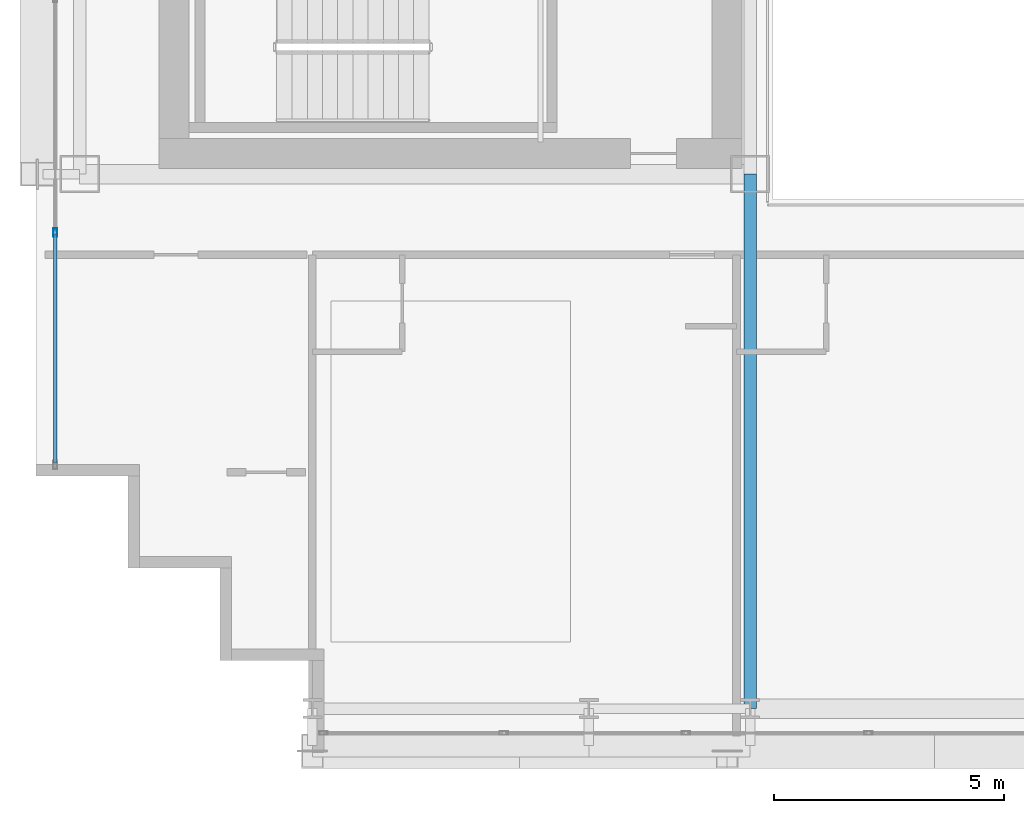
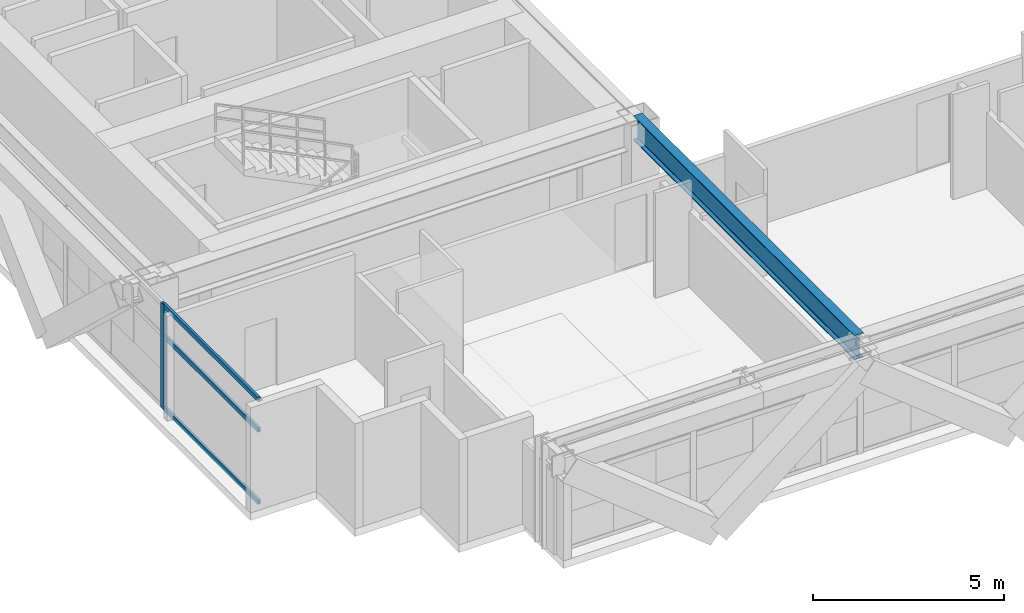
# One storey, part 3 of 34: 4 members, 1 beam, 1 element without a shape of its own.
"""IFC4 building model written with IfcOpenShell, lengths in metres."""

from ifc_helpers import new_model, si_unit, direction, frame, origin, origin_2d, place, context, subcontext, project, spatial, hollow_rectangle, i_section, extrude, source, transform, mapped, material, layer, layer_set, material_profile, profile_set, type_object, element, aggregate, save


model = new_model("IFC4")

# Units and contexts
model_context = context("Model", 3, precision=1e-05, world=origin(), true_north=direction((0.0, 1.0)))
body_context = subcontext(model_context, "Body", "Model", "MODEL_VIEW")
ifc_project = project(units=[si_unit("LENGTHUNIT", "METRE"), si_unit("AREAUNIT", "SQUARE_METRE"), si_unit("VOLUMEUNIT", "CUBIC_METRE"), si_unit("PLANEANGLEUNIT", "RADIAN"), si_unit("MASSUNIT", "GRAM", prefix="KILO")], contexts=[model_context])

# Site, building, storey
site_placement = place(None, origin())
site = spatial("IfcSite", under=ifc_project, at=site_placement, CompositionType="ELEMENT")
building_placement = place(site_placement, origin())
building = spatial("IfcBuilding", under=site, at=building_placement, Name="Ocotamira Hotel", CompositionType="ELEMENT")
storey_placement = place(building_placement, frame((0.0, 0.0, 108.0)))
storey = spatial("IfcBuildingStorey", under=building, at=storey_placement, Name="L26", CompositionType="ELEMENT", Elevation=108.0)

# Beam
ifc_material_1 = material(Name="Steel ASTM A992 Grade 50", Category="steel")
ifc_material_profile_1 = material_profile(ifc_material_1, i_section(OverallWidth=0.26611328125, OverallDepth=0.779052734375, WebThickness=0.0166015625, FlangeThickness=0.030029296875, FilletRadius=0.01806640625, at=origin_2d()), Name="W30X148")
ifc_profile_set_1 = profile_set([ifc_material_profile_1], Name="Steel ASTM A992 Grade 50")
beam_type = type_object("IfcBeamType", Name="BM-GIRD-W30X148", PredefinedType="BEAM", material=ifc_profile_set_1)
shared_shape_1 = source(origin(), body_context, "Body", "SweptSolid", [
    extrude(i_section(OverallWidth=0.26611328125, OverallDepth=0.779052734375, WebThickness=0.0166015625, FlangeThickness=0.030029296875, FilletRadius=0.01806640625, at=origin_2d()), origin(), (0.0, 0.0, 1.0), 11.60009765625),
])
beam_placement = place(storey_placement, frame((23.5, 2.949951171875, 2.970458984375), z_axis=(0.0, 1.0, 0.0), x_axis=(-1.0, 0.0, 0.0)))
element("IfcBeam", 1, at=beam_placement, inside=storey, type_object=beam_type, Name="L26 Beam X23.5 Y2.95-14.55", PredefinedType="BEAM", context=body_context, shape_type="MappedRepresentation", body=[
    mapped(shared_shape_1, transform((0.0, 0.0, 0.0), scale=1.0)),
])

# Curtain wall, members
ifc_material_2 = material(Name="Anodised pale-metal aluminium and solar glass", Category="aluminium")
ifc_layer = layer(ifc_material_2, 0.179931640625)
ifc_layer_set = layer_set([ifc_layer], Name="Anodised pale-metal aluminium and solar glass")
curtain_wall_type = type_object("IfcCurtainWallType", Name="CW-SYS3-Z2", PredefinedType="NOTDEFINED", material=ifc_layer_set)
curtain_wall_placement = place(storey_placement, origin())
curtain_wall = element("IfcCurtainWall", 2, at=curtain_wall_placement, inside=storey, type_object=curtain_wall_type, Name="L26 Curtain Wall CW-3 CW-L26-W", PredefinedType="NOTDEFINED")
ifc_material_3 = material(Name="Anodised pale-metal aluminium 6063-T6", Category="aluminium")
ifc_material_profile_2 = material_profile(ifc_material_3, hollow_rectangle(XDim=0.074951171875, YDim=0.14990234375, WallThickness=0.006103515625, at=origin_2d()), Name="HSS150X75X6")
ifc_profile_set_2 = profile_set([ifc_material_profile_2], Name="Anodised pale-metal aluminium 6063-T6")
member_type_1 = type_object("IfcMemberType", Name="CWT-150X75", PredefinedType="USERDEFINED", material=ifc_profile_set_2)
shared_shape_2 = source(origin(), body_context, "Body", "SweptSolid", [
    extrude(hollow_rectangle(XDim=0.074951171875, YDim=0.14990234375, WallThickness=0.006103515625, at=origin_2d()), origin(), (0.0, 0.0, 1.0), 4.965576171875),
])
member_1_placement = place(storey_placement, frame((8.419921875, 8.280029296875, 0.03759765625), z_axis=(0.0, 1.0, 0.0), x_axis=(-1.0, 0.0, 0.0)))
member_1 = element("IfcMember", 3, at=member_1_placement, type_object=member_type_1, Name="CW-3 transom 1.1", ObjectType="TRANSOM", PredefinedType="USERDEFINED", context=body_context, shape_type="MappedRepresentation", body=[
    mapped(shared_shape_2, transform((0.0, 0.0, 0.0), scale=1.0)),
])
member_2_placement = place(storey_placement, frame((8.419921875, 8.280029296875, 2.35009765625), z_axis=(0.0, 1.0, 0.0), x_axis=(-1.0, 0.0, 0.0)))
member_2 = element("IfcMember", 4, at=member_2_placement, type_object=member_type_1, Name="CW-3 transom 1.2", ObjectType="TRANSOM", PredefinedType="USERDEFINED", context=body_context, shape_type="MappedRepresentation", body=[
    mapped(shared_shape_2, transform((0.0, 0.0, 0.0), scale=1.0)),
])
member_3_placement = place(storey_placement, frame((8.419921875, 8.280029296875, 3.322509765625), z_axis=(0.0, 1.0, 0.0), x_axis=(-1.0, 0.0, 0.0)))
member_3 = element("IfcMember", 5, at=member_3_placement, type_object=member_type_1, Name="CW-3 transom 1.3", ObjectType="TRANSOM", PredefinedType="USERDEFINED", context=body_context, shape_type="MappedRepresentation", body=[
    mapped(shared_shape_2, transform((0.0, 0.0, 0.0), scale=1.0)),
])
ifc_material_profile_3 = material_profile(ifc_material_3, hollow_rectangle(XDim=0.080078125, YDim=0.179931640625, WallThickness=0.006103515625, at=origin_2d()), Name="HSS180X80X6")
ifc_profile_set_3 = profile_set([ifc_material_profile_3], Name="Anodised pale-metal aluminium 6063-T6")
member_type_2 = type_object("IfcMemberType", Name="CWM-180X75", PredefinedType="MULLION", material=ifc_profile_set_3)
shared_shape_3 = source(origin(), body_context, "Body", "SweptSolid", [
    extrude(hollow_rectangle(XDim=0.080078125, YDim=0.179931640625, WallThickness=0.006103515625, at=origin_2d()), origin(), (0.0, 0.0, 1.0), 3.360107421875),
])
member_4_placement = place(storey_placement, frame((8.419921875, 13.28564453125, 0.0), z_axis=(0.0, 0.0, 1.0), x_axis=(-1.0, 0.0, 0.0)))
member_4 = element("IfcMember", 6, at=member_4_placement, type_object=member_type_2, Name="CW-3 mullion 2", PredefinedType="MULLION", context=body_context, shape_type="MappedRepresentation", body=[
    mapped(shared_shape_3, transform((0.0, 0.0, 0.0), scale=1.0)),
])
aggregate(curtain_wall, [member_4, member_1, member_2, member_3])

save(model, "model.ifc")
